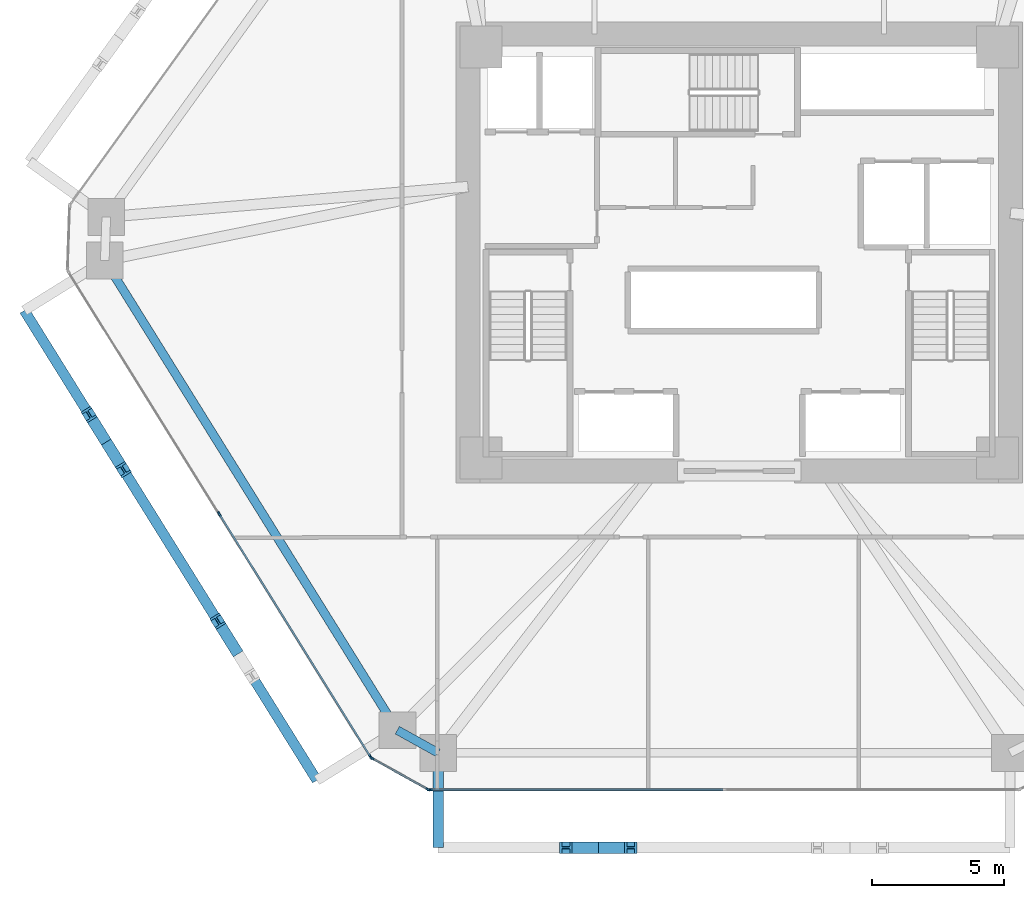
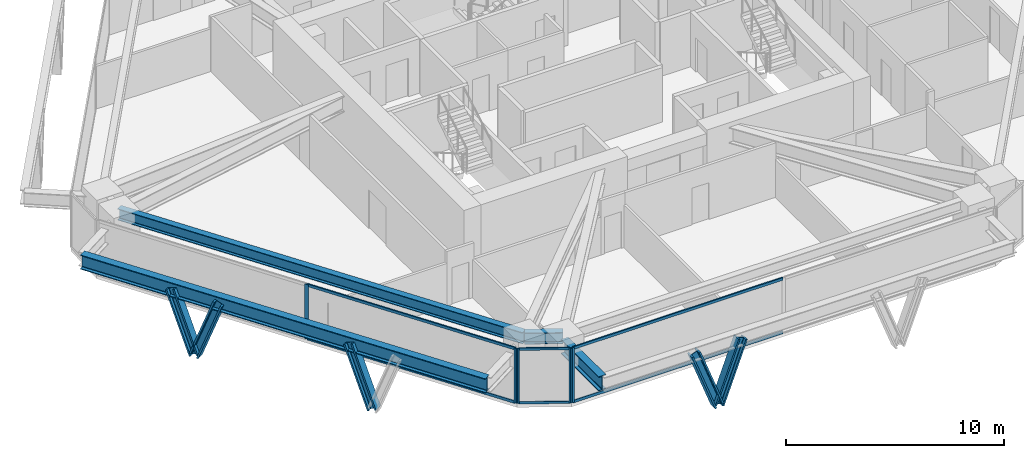
# One storey, part 2 of 15: 16 members, 4 beams, 3 elements without a shape of their own.
"""IFC4 building model written with IfcOpenShell, lengths in metres."""

from ifc_helpers import new_model, si_unit, direction, frame, origin, origin_2d, place, context, subcontext, project, spatial, rectangle, i_section, extrude, source, transform, mapped, material, layer, layer_set, material_profile, profile_set, type_object, type_shapes, element, aggregate, save


model = new_model("IFC4")

# Units and contexts
model_context = context("Model", 3, precision=1e-05, world=origin(), true_north=direction((0.0, 1.0)))
body_context = subcontext(model_context, "Body", "Model", "MODEL_VIEW")
ifc_project = project(units=[si_unit("LENGTHUNIT", "METRE"), si_unit("AREAUNIT", "SQUARE_METRE"), si_unit("VOLUMEUNIT", "CUBIC_METRE"), si_unit("PLANEANGLEUNIT", "RADIAN"), si_unit("MASSUNIT", "GRAM", prefix="KILO")], contexts=[model_context])

# Site, building, storey
site_placement = place(None, origin())
site = spatial("IfcSite", under=ifc_project, at=site_placement, CompositionType="ELEMENT")
building_placement = place(site_placement, origin())
building = spatial("IfcBuilding", under=site, at=building_placement, Name="Durnholm Broadcast Tower", CompositionType="ELEMENT")
storey_placement = place(building_placement, frame((0.0, 0.0, 62.10009765625)))
storey = spatial("IfcBuildingStorey", under=building, at=storey_placement, Name="L15", CompositionType="ELEMENT", Elevation=62.10009765625)

# Beams
ifc_material_1 = material(Name="Steel ASTM A992 Grade 50", Category="steel")
ifc_material_profile_1 = material_profile(ifc_material_1, i_section(OverallWidth=0.3291015625, OverallDepth=0.635009765625, WebThickness=0.017822265625, FlangeThickness=0.031005859375, FilletRadius=0.02783203125, at=origin_2d()), Name="W24X162")
ifc_profile_set_1 = profile_set([ifc_material_profile_1], Name="Steel ASTM A992 Grade 50")
beam_type_1 = type_object("IfcBeamType", Name="STL-SP-W24X162", PredefinedType="SPANDREL", material=ifc_profile_set_1)
shared_shape_1 = source(origin(), body_context, "Body", "SweptSolid", [
    extrude(i_section(OverallWidth=0.3291015625, OverallDepth=0.635009765625, WebThickness=0.017822265625, FlangeThickness=0.031005859375, FilletRadius=0.02783203125, at=origin_2d()), origin(), (0.0, 0.0, 1.0), 21.014404296875),
])
beam_1_placement = place(storey_placement, frame((-12.982666015625, -18.138427734375, 2.727294921875), z_axis=(-0.528595731543, 0.848873696491, 0.0), x_axis=(-0.848873696491, -0.528595731543, 0.0)))
element("IfcBeam", 1, at=beam_1_placement, inside=storey, type_object=beam_type_1, Name="L15 perimeter spandrel girder 01", PredefinedType="SPANDREL", context=body_context, shape_type="MappedRepresentation", body=[
    mapped(shared_shape_1, transform((0.0, 0.0, 0.0), x_axis=(1.0, 0.0, 0.0), y_axis=(0.0, 1.0, 0.0), z_axis=(0.0, 0.0, 1.0), scale=1.0)),
])
shared_shape_2 = source(origin(), body_context, "Body", "SweptSolid", [
    extrude(i_section(OverallWidth=0.3291015625, OverallDepth=0.635009765625, WebThickness=0.017822265625, FlangeThickness=0.031005859375, FilletRadius=0.02783203125, at=origin_2d()), origin(), (0.0, 0.0, 1.0), 1.774658203125),
])
type_shapes(beam_type_1, [shared_shape_1, shared_shape_2])
beam_2_placement = place(storey_placement, frame((-11.43115234375, -19.0, 2.727294921875), z_axis=(-0.874248107979, 0.485479397806, 0.0), x_axis=(-0.485479397806, -0.874248107979, 0.0)))
element("IfcBeam", 2, at=beam_2_placement, inside=storey, type_object=beam_type_1, Name="L15 perimeter spandrel girder 12", PredefinedType="SPANDREL", context=body_context, shape_type="MappedRepresentation", body=[
    mapped(shared_shape_2, transform((0.0, 0.0, 0.0), x_axis=(1.0, 0.0, 0.0), y_axis=(0.0, 1.0, 0.0), z_axis=(0.0, 0.0, 1.0), scale=1.0)),
])
ifc_material_profile_2 = material_profile(ifc_material_1, i_section(OverallWidth=0.385009765625, OverallDepth=0.802978515625, WebThickness=0.023681640625, FlangeThickness=0.0419921875, FilletRadius=0.032958984375, at=origin_2d()), Name="W30X261")
ifc_profile_set_2 = profile_set([ifc_material_profile_2], Name="Steel ASTM A992 Grade 50")
beam_type_2 = type_object("IfcBeamType", Name="BM-EXO-TIE", PredefinedType="USERDEFINED", material=ifc_profile_set_2)
shared_shape_3 = source(origin(), body_context, "Body", "SweptSolid", [
    extrude(i_section(OverallWidth=0.385009765625, OverallDepth=0.802978515625, WebThickness=0.023681640625, FlangeThickness=0.0419921875, FilletRadius=0.032958984375, at=origin_2d()), origin(), (0.0, 0.0, 1.0), 3.4560546875),
])
beam_3_placement = place(storey_placement, frame((-11.43115234375, -19.14404296875, 2.30859375), z_axis=(0.0, -1.0, 0.0), x_axis=(1.0, 0.0, 0.0)))
element("IfcBeam", 3, at=beam_3_placement, inside=storey, type_object=beam_type_2, Name="L15 exoskeleton stand-off tie bracket F1.1", ObjectType="GIRDER", PredefinedType="USERDEFINED", context=body_context, shape_type="MappedRepresentation", body=[
    mapped(shared_shape_3, transform((0.0, 0.0, 0.0), x_axis=(1.0, 0.0, 0.0), y_axis=(0.0, 1.0, 0.0), z_axis=(0.0, 0.0, 1.0), scale=1.0)),
])
shared_shape_4 = source(origin(), body_context, "Body", "SweptSolid", [
    extrude(i_section(OverallWidth=0.385009765625, OverallDepth=0.802978515625, WebThickness=0.023681640625, FlangeThickness=0.0419921875, FilletRadius=0.032958984375, at=origin_2d()), origin(), (0.0, 0.0, 1.0), 21.0146484375),
])
type_shapes(beam_type_2, [shared_shape_3, shared_shape_4])
beam_4_placement = place(storey_placement, frame((-27.146728515625, -2.20263671875, 2.30859375), z_axis=(0.528590518575, -0.848876942597, 0.0), x_axis=(0.848876942597, 0.528590518575, 0.0)))
element("IfcBeam", 4, at=beam_4_placement, inside=storey, type_object=beam_type_2, Name="L15 exoskeleton collector spandrel F6", PredefinedType="SPANDREL", context=body_context, shape_type="MappedRepresentation", body=[
    mapped(shared_shape_4, transform((0.0, 0.0, 0.0), x_axis=(1.0, 0.0, 0.0), y_axis=(0.0, 1.0, 0.0), z_axis=(0.0, 0.0, 1.0), scale=1.0)),
])

# Members
ifc_material_2 = material(Name="Steel ASTM A913 Grade 65", Category="steel")
ifc_material_profile_3 = material_profile(ifc_material_2, i_section(OverallWidth=0.43212890625, OverallDepth=0.497802734375, WebThickness=0.0556640625, FlangeThickness=0.0888671875, FilletRadius=0.030517578125, at=origin_2d()), Name="W14X500")
ifc_profile_set_3 = profile_set([ifc_material_profile_3], Name="Steel ASTM A913 Grade 65")
member_type_1 = type_object("IfcMemberType", Name="STL-DG-W14X500", PredefinedType="BRACE", material=ifc_profile_set_3)
shared_shape_5 = source(origin(), body_context, "Body", "SweptSolid", [
    extrude(i_section(OverallWidth=0.43212890625, OverallDepth=0.497802734375, WebThickness=0.0556640625, FlangeThickness=0.0888671875, FilletRadius=0.030517578125, at=origin_2d()), origin(), (0.0, 0.0, 1.0), 3.523193359375),
])
type_shapes(member_type_1, [shared_shape_5])
for number, where, z_axis, x_axis, name in (
    (5, (-5.351318359375, -22.60009765625, -0.991455078125), (-0.350219588454, 0.0, 0.936667625075), (0.0, -1.0, 0.0), "L15 stand-off diagrid brace F1.D1.1"),
    (6, (-5.351318359375, -22.60009765625, -0.991455078125), (0.350219588454, 0.0, 0.936667625075), (0.0, 1.0, 0.0), "L15 stand-off diagrid brace F1.D1.2"),
    (7, (-24.036376953125, -7.197509765625, -0.991455078125), (-0.185157304084, 0.297277258428, 0.936665897941), (-0.848819847179, -0.528682198523, 0.0), "L15 stand-off diagrid brace F6.D1.1"),
    (8, (-24.036376953125, -7.197509765625, -0.991455078125), (0.185090383068, -0.297281072018, 0.936677913861), (0.848908635391, 0.528539618911, 0.0), "L15 stand-off diagrid brace F6.D1.2"),
    (9, (-19.14892578125, -15.04638671875, -0.991455078125), (-0.185090383068, 0.297281072018, 0.936677913861), (-0.848908635391, -0.528539618911, 0.0), "L15 stand-off diagrid brace F6.D2.1"),
):
    element("IfcMember", number, at=place(storey_placement, frame(where, z_axis=z_axis, x_axis=x_axis)), inside=storey, type_object=member_type_1, Name=name, PredefinedType="BRACE", context=body_context, shape_type="MappedRepresentation", body=[
        mapped(shared_shape_5, transform((0.0, 0.0, 0.0), x_axis=(1.0, 0.0, 0.0), y_axis=(0.0, 1.0, 0.0), z_axis=(0.0, 0.0, 1.0), scale=1.0)),
    ])

# Curtain wall, members
ifc_material_3 = material(Name="Aluminium and Solar Control IGU", Category="aluminium")
ifc_layer_1 = layer(ifc_material_3, 0.1650390625)
ifc_layer_set_1 = layer_set([ifc_layer_1], Name="Aluminium and Solar Control IGU")
curtain_wall_type_1 = type_object("IfcCurtainWallType", Name="CW-SYS-5", PredefinedType="NOTDEFINED", material=ifc_layer_set_1)
curtain_wall_1_placement = place(storey_placement, origin())
curtain_wall_1 = element("IfcCurtainWall", 10, at=curtain_wall_1_placement, inside=storey, type_object=curtain_wall_type_1, Name="L15 curtain wall CW-CORNER CW-L15-CRN-11", PredefinedType="NOTDEFINED")
ifc_material_4 = material(Name="Aluminium 6063-T6", Category="aluminium")
ifc_material_profile_4 = material_profile(ifc_material_4, rectangle(XDim=0.06494140625, YDim=0.1298828125, at=origin_2d()), Name="CWT65X130")
ifc_profile_set_4 = profile_set([ifc_material_profile_4], Name="Aluminium 6063-T6")
member_type_2 = type_object("IfcMemberType", Name="CW-SYS-5-TRN", PredefinedType="USERDEFINED", material=ifc_profile_set_4)
shared_shape_6 = source(origin(), body_context, "Body", "SweptSolid", [
    extrude(rectangle(XDim=0.06494140625, YDim=0.1298828125, at=origin_2d()), origin(), (0.0, 0.0, 1.0), 2.3701171875),
])
type_shapes(member_type_2, [shared_shape_6])
member_1_placement = place(storey_placement, frame((-11.8505859375, -20.368408203125, 0.032470703125), z_axis=(-0.874244723151, 0.485485493132, 0.0), x_axis=(-0.485485493132, -0.874244723151, 0.0)))
member_1 = element("IfcMember", 11, at=member_1_placement, type_object=member_type_2, Name="CW-CORNER transom 1.1", ObjectType="TRANSOM", PredefinedType="USERDEFINED", context=body_context, shape_type="MappedRepresentation", body=[
    mapped(shared_shape_6, transform((0.0, 0.0, 0.0), x_axis=(1.0, 0.0, 0.0), y_axis=(0.0, 1.0, 0.0), z_axis=(0.0, 0.0, 1.0), scale=1.0)),
])
member_2_placement = place(storey_placement, frame((-11.8505859375, -20.368408203125, 3.02734375), z_axis=(-0.874244723151, 0.485485493132, 0.0), x_axis=(-0.485485493132, -0.874244723151, 0.0)))
member_2 = element("IfcMember", 12, at=member_2_placement, type_object=member_type_2, Name="CW-CORNER transom 1.2", ObjectType="TRANSOM", PredefinedType="USERDEFINED", context=body_context, shape_type="MappedRepresentation", body=[
    mapped(shared_shape_6, transform((0.0, 0.0, 0.0), x_axis=(1.0, 0.0, 0.0), y_axis=(0.0, 1.0, 0.0), z_axis=(0.0, 0.0, 1.0), scale=1.0)),
])

ifc_layer_2 = layer(ifc_material_3, 0.18994140625)
ifc_layer_set_2 = layer_set([ifc_layer_2], Name="Aluminium and Solar Control IGU")
curtain_wall_type_2 = type_object("IfcCurtainWallType", Name="CW-SYS-3", PredefinedType="NOTDEFINED", material=ifc_layer_set_2)
curtain_wall_2_placement = place(storey_placement, origin())
curtain_wall_2 = element("IfcCurtainWall", 13, at=curtain_wall_2_placement, inside=storey, type_object=curtain_wall_type_2, Name="L15 curtain wall CW-Z12-VIS CW-L15-F12", PredefinedType="NOTDEFINED")
ifc_material_profile_5 = material_profile(ifc_material_4, rectangle(XDim=0.070068359375, YDim=0.14990234375, at=origin_2d()), Name="CWT70X150")
ifc_profile_set_5 = profile_set([ifc_material_profile_5], Name="Aluminium 6063-T6")
member_type_3 = type_object("IfcMemberType", Name="CW-SYS-3-TRN", PredefinedType="USERDEFINED", material=ifc_profile_set_5)
shared_shape_7 = source(origin(), body_context, "Body", "SweptSolid", [
    extrude(rectangle(XDim=0.070068359375, YDim=0.14990234375, at=origin_2d()), origin(), (0.0, 0.0, 1.0), 10.796630859375),
])
member_3_placement = place(storey_placement, frame((-14.016357421875, -19.126953125, 0.034912109375), z_axis=(-0.528591657678, 0.848876233283, 0.0), x_axis=(-0.848876233283, -0.528591657678, 0.0)))
member_3 = element("IfcMember", 14, at=member_3_placement, type_object=member_type_3, Name="CW-Z12-VIS transom 1.1", ObjectType="TRANSOM", PredefinedType="USERDEFINED", context=body_context, shape_type="MappedRepresentation", body=[
    mapped(shared_shape_7, transform((0.0, 0.0, 0.0), x_axis=(1.0, 0.0, 0.0), y_axis=(0.0, 1.0, 0.0), z_axis=(0.0, 0.0, 1.0), scale=1.0)),
])
member_4_placement = place(storey_placement, frame((-14.016357421875, -19.126953125, 3.02490234375), z_axis=(-0.528591657678, 0.848876233283, 0.0), x_axis=(-0.848876233283, -0.528591657678, 0.0)))
member_4 = element("IfcMember", 15, at=member_4_placement, type_object=member_type_3, Name="CW-Z12-VIS transom 1.2", ObjectType="TRANSOM", PredefinedType="USERDEFINED", context=body_context, shape_type="MappedRepresentation", body=[
    mapped(shared_shape_7, transform((0.0, 0.0, 0.0), x_axis=(1.0, 0.0, 0.0), y_axis=(0.0, 1.0, 0.0), z_axis=(0.0, 0.0, 1.0), scale=1.0)),
])

curtain_wall_3_placement = place(storey_placement, origin())
curtain_wall_3 = element("IfcCurtainWall", 16, at=curtain_wall_3_placement, inside=storey, type_object=curtain_wall_type_2, Name="L15 curtain wall CW-Z12-VIS CW-L15-F10", PredefinedType="NOTDEFINED")
shared_shape_8 = source(origin(), body_context, "Body", "SweptSolid", [
    extrude(rectangle(XDim=0.070068359375, YDim=0.14990234375, at=origin_2d()), origin(), (0.0, 0.0, 1.0), 11.10205078125),
])
type_shapes(member_type_3, [shared_shape_7, shared_shape_8])
member_5_placement = place(storey_placement, frame((-0.621826171875, -20.39990234375, 0.034912109375), z_axis=(-1.0, 0.0, 0.0), x_axis=(0.0, -1.0, 0.0)))
member_5 = element("IfcMember", 17, at=member_5_placement, type_object=member_type_3, Name="CW-Z12-VIS transom 2.1", ObjectType="TRANSOM", PredefinedType="USERDEFINED", context=body_context, shape_type="MappedRepresentation", body=[
    mapped(shared_shape_8, transform((0.0, 0.0, 0.0), x_axis=(1.0, 0.0, 0.0), y_axis=(0.0, 1.0, 0.0), z_axis=(0.0, 0.0, 1.0), scale=1.0)),
])
member_6_placement = place(storey_placement, frame((-0.621826171875, -20.39990234375, 3.02490234375), z_axis=(-1.0, 0.0, 0.0), x_axis=(0.0, -1.0, 0.0)))
member_6 = element("IfcMember", 18, at=member_6_placement, type_object=member_type_3, Name="CW-Z12-VIS transom 2.2", ObjectType="TRANSOM", PredefinedType="USERDEFINED", context=body_context, shape_type="MappedRepresentation", body=[
    mapped(shared_shape_8, transform((0.0, 0.0, 0.0), x_axis=(1.0, 0.0, 0.0), y_axis=(0.0, 1.0, 0.0), z_axis=(0.0, 0.0, 1.0), scale=1.0)),
])

# Member
ifc_material_profile_6 = material_profile(ifc_material_4, rectangle(XDim=0.06494140625, YDim=0.1650390625, at=origin_2d()), Name="CWM65X165")
ifc_profile_set_6 = profile_set([ifc_material_profile_6], Name="Aluminium 6063-T6")
member_type_4 = type_object("IfcMemberType", Name="CW-SYS-5-MUL", PredefinedType="MULLION", material=ifc_profile_set_6)
shared_shape_9 = source(origin(), body_context, "Body", "SweptSolid", [
    extrude(rectangle(XDim=0.06494140625, YDim=0.1650390625, at=origin_2d()), origin(), (0.0, 0.0, 1.0), 3.059814453125),
])
type_shapes(member_type_4, [shared_shape_9])
member_7_placement = place(storey_placement, frame((-11.822265625, -20.38427734375, 0.0), z_axis=(0.0, 0.0, 1.0), x_axis=(-0.485483299359, -0.874245941394, 0.0)))
member_7 = element("IfcMember", 19, at=member_7_placement, type_object=member_type_4, Name="CW-CORNER mullion 1", PredefinedType="MULLION", context=body_context, shape_type="MappedRepresentation", body=[
    mapped(shared_shape_9, transform((0.0, 0.0, 0.0), x_axis=(1.0, 0.0, 0.0), y_axis=(0.0, 1.0, 0.0), z_axis=(0.0, 0.0, 1.0), scale=1.0)),
])

member_8_placement = place(storey_placement, frame((-13.950927734375, -19.2021484375, 0.0), z_axis=(0.0, 0.0, 1.0), x_axis=(-0.485483299359, -0.874245941394, 0.0)))
member_8 = element("IfcMember", 20, at=member_8_placement, type_object=member_type_4, Name="CW-CORNER mullion 2", PredefinedType="MULLION", context=body_context, shape_type="MappedRepresentation", body=[
    mapped(shared_shape_9, transform((0.0, 0.0, 0.0), x_axis=(1.0, 0.0, 0.0), y_axis=(0.0, 1.0, 0.0), z_axis=(0.0, 0.0, 1.0), scale=1.0)),
])

aggregate(curtain_wall_1, [member_7, member_8, member_1, member_2])

ifc_material_profile_7 = material_profile(ifc_material_4, rectangle(XDim=0.070068359375, YDim=0.18994140625, at=origin_2d()), Name="CWM70X190")
ifc_profile_set_7 = profile_set([ifc_material_profile_7], Name="Aluminium 6063-T6")
member_type_5 = type_object("IfcMemberType", Name="CW-SYS-3-MUL", PredefinedType="MULLION", material=ifc_profile_set_7)
shared_shape_10 = source(origin(), body_context, "Body", "SweptSolid", [
    extrude(rectangle(XDim=0.070068359375, YDim=0.18994140625, at=origin_2d()), origin(), (0.0, 0.0, 1.0), 3.059814453125),
])
type_shapes(member_type_5, [shared_shape_10])
member_9_placement = place(storey_placement, frame((-11.7587890625, -20.39990234375, 0.0), z_axis=(0.0, 0.0, 1.0), x_axis=(0.0, -1.0, 0.0)))
member_9 = element("IfcMember", 21, at=member_9_placement, type_object=member_type_5, Name="CW-Z12-VIS mullion 3", PredefinedType="MULLION", context=body_context, shape_type="MappedRepresentation", body=[
    mapped(shared_shape_10, transform((0.0, 0.0, 0.0), x_axis=(1.0, 0.0, 0.0), y_axis=(0.0, 1.0, 0.0), z_axis=(0.0, 0.0, 1.0), scale=1.0)),
])

aggregate(curtain_wall_3, [member_9, member_5, member_6])

member_10_placement = place(storey_placement, frame((-13.997802734375, -19.156494140625, 0.0), z_axis=(0.0, 0.0, 1.0), x_axis=(-0.848875785503, -0.528592376777, 0.0)))
member_10 = element("IfcMember", 22, at=member_10_placement, type_object=member_type_5, Name="CW-Z12-VIS mullion 1", PredefinedType="MULLION", context=body_context, shape_type="MappedRepresentation", body=[
    mapped(shared_shape_10, transform((0.0, 0.0, 0.0), x_axis=(1.0, 0.0, 0.0), y_axis=(0.0, 1.0, 0.0), z_axis=(0.0, 0.0, 1.0), scale=1.0)),
])

member_11_placement = place(storey_placement, frame((-19.741943359375, -9.93212890625, 0.0), z_axis=(0.0, 0.0, 1.0), x_axis=(-0.848875785503, -0.528592376777, 0.0)))
member_11 = element("IfcMember", 23, at=member_11_placement, type_object=member_type_5, Name="CW-Z12-VIS mullion 2", PredefinedType="MULLION", context=body_context, shape_type="MappedRepresentation", body=[
    mapped(shared_shape_10, transform((0.0, 0.0, 0.0), x_axis=(1.0, 0.0, 0.0), y_axis=(0.0, 1.0, 0.0), z_axis=(0.0, 0.0, 1.0), scale=1.0)),
])

aggregate(curtain_wall_2, [member_10, member_11, member_3, member_4])

save(model, "model.ifc")
